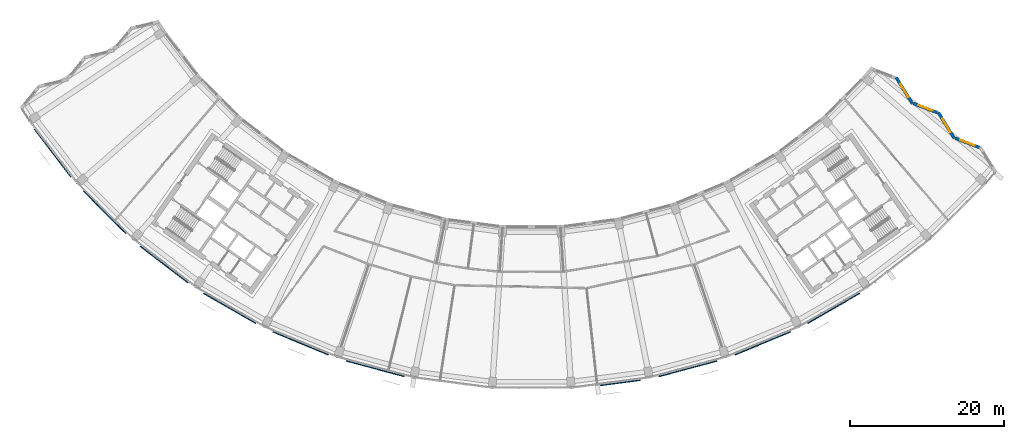
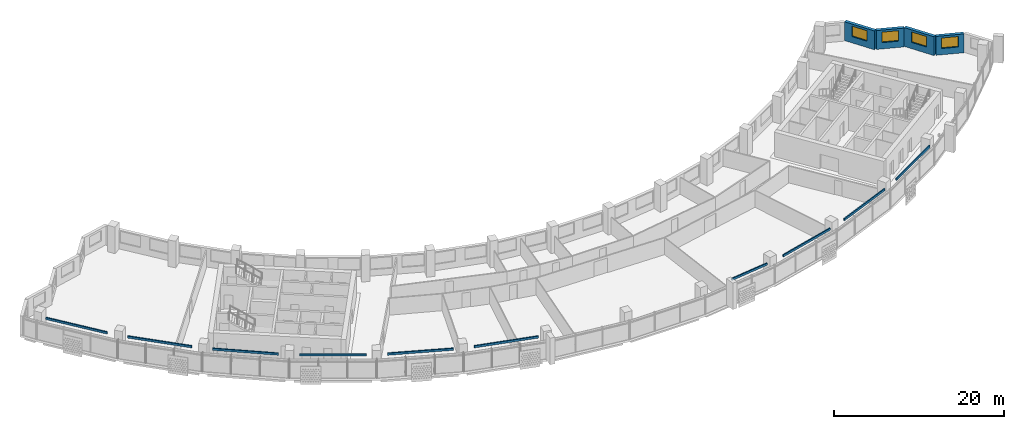
# One storey, part 8 of 28: 10 discrete accessories, 4 walls, 4 windows, 4 openings.
"""IFC4 building model written with IfcOpenShell, lengths in metres."""

from ifc_helpers import new_model, si_unit, direction, frame, frame_2d, origin, origin_2d, place, context, subcontext, project, spatial, rectangle, extrude, material, layer, layer_set, type_object, element, fill, save


model = new_model("IFC4")

# Units and contexts
model_context = context("Model", 3, precision=1e-05, world=origin(), true_north=direction((0.0, 1.0)))
body_context = subcontext(model_context, "Body", "Model", "MODEL_VIEW")
ifc_project = project(units=[si_unit("LENGTHUNIT", "METRE"), si_unit("AREAUNIT", "SQUARE_METRE"), si_unit("VOLUMEUNIT", "CUBIC_METRE"), si_unit("PLANEANGLEUNIT", "RADIAN"), si_unit("MASSUNIT", "GRAM", prefix="KILO")], contexts=[model_context])

# Site, building, storey
site_placement = place(None, origin())
site = spatial("IfcSite", under=ifc_project, at=site_placement, CompositionType="ELEMENT")
building_placement = place(site_placement, origin())
building = spatial("IfcBuilding", under=site, at=building_placement, Name="Qamariyya Broadcast Tower", CompositionType="ELEMENT")
storey_placement = place(building_placement, frame((0.0, 0.0, 215.10009765625)))
storey = spatial("IfcBuildingStorey", under=building, at=storey_placement, Name="L51", CompositionType="ELEMENT", Elevation=215.10009765625)

# Wall, opening, window
ifc_material_1 = material(Name="Terracotta", Category="masonry")
ifc_layer = layer(ifc_material_1, 0.39990234375)
ifc_layer_set = layer_set([ifc_layer], Name="Terracotta clad wall 400")
wall_type = type_object("IfcWallType", Name="Terracotta clad wall 400", PredefinedType="SOLIDWALL", material=ifc_layer_set)
wall_1_placement = place(storey_placement, frame((58.228271484375, -47.097412109375, 0.0), z_axis=(0.0, 0.0, 1.0), x_axis=(-0.933915525695, 0.357493763395, 0.0)))
wall_1 = element("IfcWall", 1, at=wall_1_placement, inside=storey, type_object=wall_type, Name="e-wl-L51-capE1", PredefinedType="SOLIDWALL", context=body_context, shape_type="SweptSolid", body=[
    extrude(rectangle(XDim=3.305419921875, YDim=0.39990234375, at=frame_2d((1.65283203125, 0.0))), origin(), (0.0, 0.0, 1.0), 2.699951171875),
])
opening_1_placement = place(wall_1_placement, frame((0.652587890625, 0.0, 0.89990234375)))
opening_1 = element("IfcOpeningElement", 2, at=opening_1_placement, cuts=wall_1, Name="Opening W4", PredefinedType="OPENING", context=body_context, shape_type="SweptSolid", body=[
    extrude(rectangle(XDim=2.0, YDim=1.5, at=frame_2d((1.0, 0.75))), frame((0.0, 0.2099609375, 0.0), z_axis=(0.0, -1.0, 0.0), x_axis=(1.0, 0.0, 0.0)), (0.0, 0.0, 1.0), 0.419921875),
])
ifc_material_2 = material(Name="Clear low-e double glazed unit in aluminium frame", Category="aluminium")
window_type = type_object("IfcWindowType", Name="Horn bay window 2000 x 1500", PartitioningType="SINGLE_PANEL", PredefinedType="WINDOW", material=ifc_material_2)
window_1_placement = place(opening_1_placement, origin())
window_1 = element("IfcWindow", 3, at=window_1_placement, inside=storey, type_object=window_type, Name="e-w-L51-capE1", OverallHeight=1.5, OverallWidth=2.0, PartitioningType="SINGLE_PANEL", PredefinedType="WINDOW", context=body_context, shape_type="SweptSolid", body=[
    extrude(rectangle(XDim=2.0, YDim=1.5, at=frame_2d((1.0, 0.75))), frame((0.0, 0.030029296875, 0.0), z_axis=(0.0, -1.0, 0.0), x_axis=(1.0, 0.0, 0.0)), (0.0, 0.0, 1.0), 0.06005859375),
])
fill(opening_1, window_1)

wall_2_placement = place(storey_placement, frame((55.002197265625, -45.9404296875, 0.0), z_axis=(0.0, 0.0, 1.0), x_axis=(-0.52557219892, 0.850749001599, 0.0)))
wall_2 = element("IfcWall", 4, at=wall_2_placement, inside=storey, type_object=wall_type, Name="e-wl-L51-capE2", PredefinedType="SOLIDWALL", context=body_context, shape_type="SweptSolid", body=[
    extrude(rectangle(XDim=3.997314453125, YDim=0.39990234375, at=frame_2d((1.99853515625, 0.0))), origin(), (0.0, 0.0, 1.0), 2.699951171875),
])
opening_2_placement = place(wall_2_placement, frame((0.998779296875, 0.0, 0.89990234375)))
opening_2 = element("IfcOpeningElement", 5, at=opening_2_placement, cuts=wall_2, Name="Opening W4", PredefinedType="OPENING", context=body_context, shape_type="SweptSolid", body=[
    extrude(rectangle(XDim=2.0, YDim=1.5, at=frame_2d((1.0, 0.75))), frame((0.0, 0.2099609375, 0.0), z_axis=(0.0, -1.0, 0.0), x_axis=(1.0, 0.0, 0.0)), (0.0, 0.0, 1.0), 0.419921875),
])
window_2_placement = place(opening_2_placement, origin())
window_2 = element("IfcWindow", 6, at=window_2_placement, inside=storey, type_object=window_type, Name="e-w-L51-capE2", OverallHeight=1.5, OverallWidth=2.0, PartitioningType="SINGLE_PANEL", PredefinedType="WINDOW", context=body_context, shape_type="SweptSolid", body=[
    extrude(rectangle(XDim=2.0, YDim=1.5, at=frame_2d((1.0, 0.75))), frame((0.0, 0.030029296875, 0.0), z_axis=(0.0, -1.0, 0.0), x_axis=(1.0, 0.0, 0.0)), (0.0, 0.0, 1.0), 0.06005859375),
])
fill(opening_2, window_2)

wall_3_placement = place(storey_placement, frame((52.762451171875, -42.564453125, 0.0), z_axis=(0.0, 0.0, 1.0), x_axis=(-0.933936531011, 0.357438884347, 0.0)))
wall_3 = element("IfcWall", 7, at=wall_3_placement, inside=storey, type_object=wall_type, Name="e-wl-L51-capE3", PredefinedType="SOLIDWALL", context=body_context, shape_type="SweptSolid", body=[
    extrude(rectangle(XDim=3.304443359375, YDim=0.39990234375, at=frame_2d((1.65234375, 0.0))), origin(), (0.0, 0.0, 1.0), 2.699951171875),
])
opening_3_placement = place(wall_3_placement, frame((0.652099609375, 0.0, 0.89990234375)))
opening_3 = element("IfcOpeningElement", 8, at=opening_3_placement, cuts=wall_3, Name="Opening W4", PredefinedType="OPENING", context=body_context, shape_type="SweptSolid", body=[
    extrude(rectangle(XDim=2.0, YDim=1.5, at=frame_2d((1.0, 0.75))), frame((0.0, 0.2099609375, 0.0), z_axis=(0.0, -1.0, 0.0), x_axis=(1.0, 0.0, 0.0)), (0.0, 0.0, 1.0), 0.419921875),
])
window_3_placement = place(opening_3_placement, origin())
window_3 = element("IfcWindow", 9, at=window_3_placement, inside=storey, type_object=window_type, Name="e-w-L51-capE3", OverallHeight=1.5, OverallWidth=2.0, PartitioningType="SINGLE_PANEL", PredefinedType="WINDOW", context=body_context, shape_type="SweptSolid", body=[
    extrude(rectangle(XDim=2.0, YDim=1.5, at=frame_2d((1.0, 0.75))), frame((0.0, 0.030029296875, 0.0), z_axis=(0.0, -1.0, 0.0), x_axis=(1.0, 0.0, 0.0)), (0.0, 0.0, 1.0), 0.06005859375),
])
fill(opening_3, window_3)

wall_4_placement = place(storey_placement, frame((49.537109375, -41.407958984375, 0.0), z_axis=(0.0, 0.0, 1.0), x_axis=(-0.52562287538, 0.85071769282, 0.0)))
wall_4 = element("IfcWall", 10, at=wall_4_placement, inside=storey, type_object=wall_type, Name="e-wl-L51-capE4", PredefinedType="SOLIDWALL", context=body_context, shape_type="SweptSolid", body=[
    extrude(rectangle(XDim=3.998291015625, YDim=0.39990234375, at=frame_2d((1.9990234375, 0.0))), origin(), (0.0, 0.0, 1.0), 2.699951171875),
])
opening_4_placement = place(wall_4_placement, frame((0.999267578125, 0.0, 0.89990234375)))
opening_4 = element("IfcOpeningElement", 11, at=opening_4_placement, cuts=wall_4, Name="Opening W4", PredefinedType="OPENING", context=body_context, shape_type="SweptSolid", body=[
    extrude(rectangle(XDim=2.0, YDim=1.5, at=frame_2d((1.0, 0.75))), frame((0.0, 0.2099609375, 0.0), z_axis=(0.0, -1.0, 0.0), x_axis=(1.0, 0.0, 0.0)), (0.0, 0.0, 1.0), 0.419921875),
])
window_4_placement = place(opening_4_placement, origin())
window_4 = element("IfcWindow", 12, at=window_4_placement, inside=storey, type_object=window_type, Name="e-w-L51-capE4", OverallHeight=1.5, OverallWidth=2.0, PartitioningType="SINGLE_PANEL", PredefinedType="WINDOW", context=body_context, shape_type="SweptSolid", body=[
    extrude(rectangle(XDim=2.0, YDim=1.5, at=frame_2d((1.0, 0.75))), frame((0.0, 0.030029296875, 0.0), z_axis=(0.0, -1.0, 0.0), x_axis=(1.0, 0.0, 0.0)), (0.0, 0.0, 1.0), 0.06005859375),
])
fill(opening_4, window_4)

# Discrete accessories
ifc_material_3 = material(Name="Stainless steel 316", Category="steel")
discrete_accessory_type = type_object("IfcDiscreteAccessoryType", Name="Slab edge fixing angle, stainless steel", PredefinedType="BRACKET", material=ifc_material_3)
for number, where, z_axis, x_axis, name in (
    (13, (-62.3232421875, -47.822265625, 3.2998046875), (0.0, 0.0, 1.0), (0.608761429009, -0.793353340291, 0.0), "e-br-L51-01-0"),
    (14, (-55.5478515625, -55.5478515625, 3.2998046875), (0.0, 0.0, 1.0), (0.707106781187, -0.707106781187, 0.0), "e-br-L51-02-0"),
    (15, (-47.822265625, -62.3232421875, 3.2998046875), (0.0, 0.0, 1.0), (0.793353340291, -0.608761429009, 0.0), "e-br-L51-03-0"),
    (16, (-39.2783203125, -68.031982421875, 3.2998046875), (0.0, 0.0, 1.0), (0.866025403784, -0.5, 0.0), "e-br-L51-04-0"),
    (17, (-30.062255859375, -72.576904296875, 3.2998046875), (0.0, 0.0, 1.0), (0.923879532511, -0.382683432365, 0.0), "e-br-L51-05-0"),
    (18, (-20.33203125, -75.8798828125, 3.2998046875), (0.0, 0.0, 1.0), (0.965925826289, -0.258819045103, 0.0), "e-br-L51-06-0"),
):
    element("IfcDiscreteAccessory", number, at=place(storey_placement, frame(where, z_axis=z_axis, x_axis=x_axis)), inside=storey, type_object=discrete_accessory_type, Name=name, PredefinedType="BRACKET", context=body_context, shape_type="SweptSolid", body=[
        extrude(rectangle(XDim=7.81591796875, YDim=0.14990234375, at=origin_2d()), origin(), (0.0, 0.0, 1.0), 0.300048828125),
    ])
discrete_accessory_placement = place(storey_placement, frame((11.528564453125, -77.716796875, 3.2998046875), z_axis=(0.0, 0.0, 1.0), x_axis=(0.991444861374, 0.13052619222, 0.0)))
element("IfcDiscreteAccessory", 19, at=discrete_accessory_placement, inside=storey, type_object=discrete_accessory_type, Name="e-br-L51-09-0", PredefinedType="BRACKET", context=body_context, shape_type="SweptSolid", body=[
    extrude(rectangle(XDim=5.243896484375, YDim=0.14990234375, at=origin_2d()), origin(), (0.0, 0.0, 1.0), 0.300048828125),
])
for number, where, z_axis, x_axis, name in (
    (20, (20.33203125, -75.8798828125, 3.2998046875), (0.0, 0.0, 1.0), (0.965925826289, 0.258819045103, 0.0), "e-br-L51-10-0"),
    (21, (30.062255859375, -72.576904296875, 3.2998046875), (0.0, 0.0, 1.0), (0.923879532511, 0.382683432365, 0.0), "e-br-L51-11-0"),
    (22, (39.2783203125, -68.031982421875, 3.2998046875), (0.0, 0.0, 1.0), (0.866025403784, 0.5, 0.0), "e-br-L51-12-0"),
):
    element("IfcDiscreteAccessory", number, at=place(storey_placement, frame(where, z_axis=z_axis, x_axis=x_axis)), inside=storey, type_object=discrete_accessory_type, Name=name, PredefinedType="BRACKET", context=body_context, shape_type="SweptSolid", body=[
        extrude(rectangle(XDim=7.81591796875, YDim=0.14990234375, at=origin_2d()), origin(), (0.0, 0.0, 1.0), 0.300048828125),
    ])

save(model, "model.ifc")
